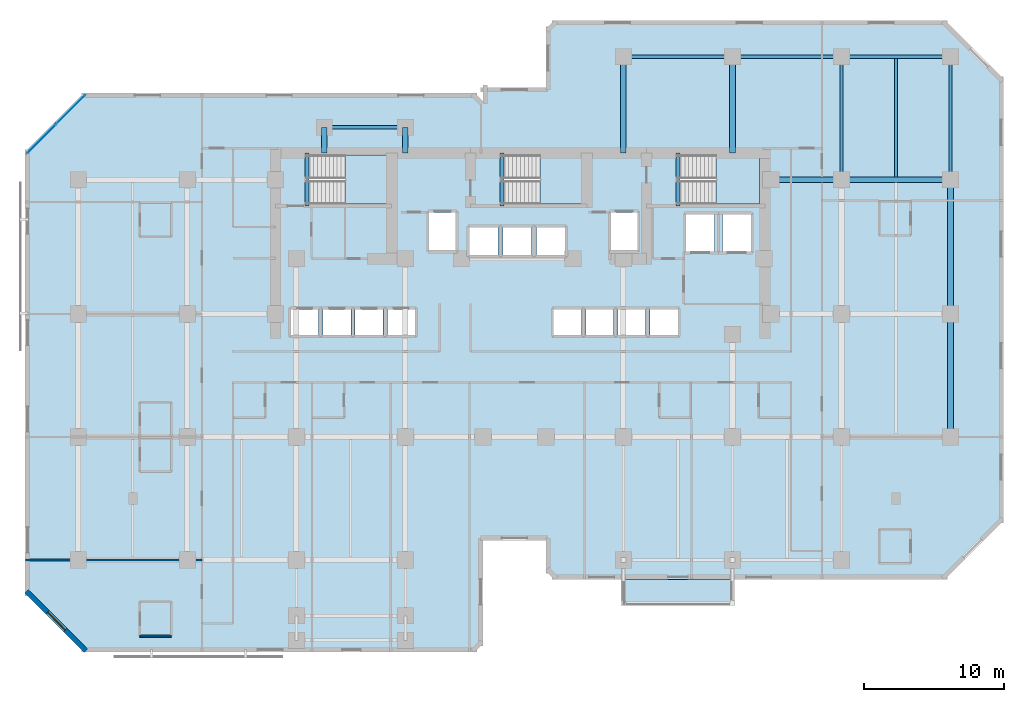
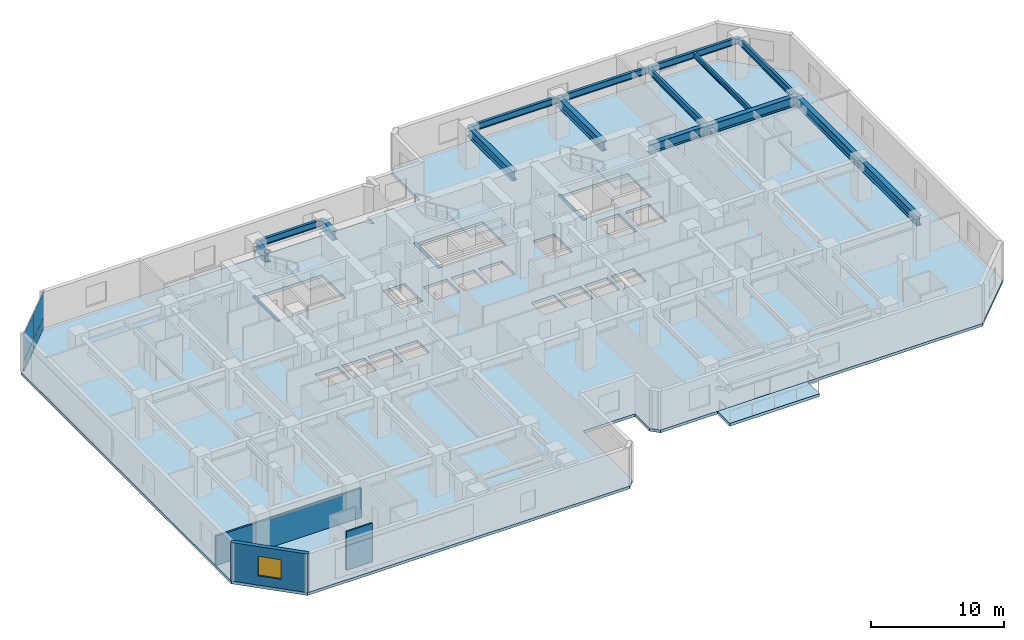
# One storey, part 5 of 13: 18 beams, 5 slabs, 4 plates, 3 walls, 1 window, 1 opening, 4 elements without a shape of their own.
"""IFC4 building model written with IfcOpenShell, lengths in metres."""

from ifc_helpers import new_model, si_unit, direction, frame, frame_2d, origin, origin_2d, place, context, subcontext, project, spatial, polyline, rectangle, i_section, outline, extrude, material, layer, layer_set, material_profile, profile_set, type_object, element, fill, aggregate, save


model = new_model("IFC4")

# Units and contexts
model_context = context("Model", 3, precision=1e-05, world=origin(), true_north=direction((0.0, 1.0)))
body_context = subcontext(model_context, "Body", "Model", "MODEL_VIEW")
ifc_project = project(units=[si_unit("LENGTHUNIT", "METRE"), si_unit("AREAUNIT", "SQUARE_METRE"), si_unit("VOLUMEUNIT", "CUBIC_METRE"), si_unit("PLANEANGLEUNIT", "RADIAN"), si_unit("MASSUNIT", "GRAM", prefix="KILO")], contexts=[model_context])

# Site, building, storey
site_placement = place(None, origin())
site = spatial("IfcSite", under=ifc_project, at=site_placement, CompositionType="ELEMENT")
building_placement = place(site_placement, origin())
building = spatial("IfcBuilding", under=site, at=building_placement, Name="Kestravale Grand Hotel", CompositionType="ELEMENT")
storey_placement = place(building_placement, frame((0.0, 0.0, 88.0)))
storey = spatial("IfcBuildingStorey", under=building, at=storey_placement, Name="L21", CompositionType="ELEMENT", Elevation=88.0)

# Beams
ifc_material_1 = material(Name="Steel ASTM A992 Grade 50", Category="steel")
ifc_material_profile_1 = material_profile(ifc_material_1, i_section(OverallWidth=0.19091796875, OverallDepth=0.45703125, WebThickness=0.009033203125, FlangeThickness=0.014404296875, FilletRadius=0.015380859375, at=origin_2d()))
ifc_profile_set_1 = profile_set([ifc_material_profile_1], Name="Steel ASTM A992 Grade 50")
beam_type_1 = type_object("IfcBeamType", Name="B-FLR-JST18", PredefinedType="JOIST", material=ifc_profile_set_1)
beam_1_placement = place(storey_placement, frame((66.300048828125, 38.6005859375, 3.3115234375), z_axis=(0.0, 1.0, 0.0), x_axis=(-1.0, 0.0, 0.0)))
element("IfcBeam", 1, at=beam_1_placement, inside=storey, type_object=beam_type_1, Name="L21 floor joist 10-11/F-G #1", PredefinedType="JOIST", context=body_context, shape_type="SweptSolid", body=[
    extrude(i_section(OverallWidth=0.19091796875, OverallDepth=0.45703125, WebThickness=0.009033203125, FlangeThickness=0.014404296875, FilletRadius=0.015380859375, at=origin_2d()), origin(), (0.0, 0.0, 1.0), 8.48486328125),
])
ifc_material_2 = material(Name="Concrete f'c 45 MPa", Category="concrete")
ifc_material_profile_2 = material_profile(ifc_material_2, rectangle(XDim=0.300048828125, YDim=0.39990234375, at=origin_2d()))
ifc_profile_set_2 = profile_set([ifc_material_profile_2], Name="Concrete f'c 45 MPa")
beam_type_2 = type_object("IfcBeamType", Name="B-FLR-LNT400", PredefinedType="LINTEL", material=ifc_profile_set_2)
for number, where, z_axis, x_axis, name in (
    (2, (24.159912109375, 36.52001953125, -0.199951171875), (0.0, 1.0, 0.0), (-1.0, 0.0, 0.0), "L21 ST1 flight bottom header beam"),
    (3, (38.110107421875, 36.52001953125, -0.199951171875), (0.0, 1.0, 0.0), (-1.0, 0.0, 0.0), "L21 ST2 flight bottom header beam"),
    (4, (50.7099609375, 36.52001953125, -0.199951171875), (0.0, 1.0, 0.0), (-1.0, 0.0, 0.0), "L21 ST3 flight bottom header beam"),
):
    element("IfcBeam", number, at=place(storey_placement, frame(where, z_axis=z_axis, x_axis=x_axis)), inside=storey, type_object=beam_type_2, Name=name, PredefinedType="LINTEL", context=body_context, shape_type="SweptSolid", body=[
        extrude(rectangle(XDim=0.300048828125, YDim=0.39990234375, at=origin_2d()), origin(), (0.0, 0.0, 1.0), 3.800048828125),
    ])
ifc_material_3 = material(Name="Steel ASTM A992 Grade 50", Category="steel")
ifc_material_profile_3 = material_profile(ifc_material_3, i_section(OverallWidth=0.22900390625, OverallDepth=0.612060546875, WebThickness=0.011962890625, FlangeThickness=0.01953125, FilletRadius=0.019287109375, at=origin_2d()))
ifc_profile_set_3 = profile_set([ifc_material_profile_3], Name="Steel ASTM A992 Grade 50")
beam_type_3 = type_object("IfcBeamType", Name="B-FLR-W24B", PredefinedType="SPANDREL", material=ifc_profile_set_3)
beam_2_placement = place(storey_placement, frame((46.800048828125, 47.199951171875, 3.23388671875), z_axis=(1.0, 0.0, 0.0), x_axis=(0.0, 1.0, 0.0)))
element("IfcBeam", 5, at=beam_2_placement, inside=storey, type_object=beam_type_3, Name="L21 spandrel G:8-9", PredefinedType="SPANDREL", context=body_context, shape_type="SweptSolid", body=[
    extrude(i_section(OverallWidth=0.22900390625, OverallDepth=0.612060546875, WebThickness=0.011962890625, FlangeThickness=0.01953125, FilletRadius=0.019287109375, at=origin_2d()), origin(), (0.0, 0.0, 1.0), 7.800048828125),
])
beam_3_placement = place(storey_placement, frame((54.60009765625, 47.199951171875, 3.23388671875), z_axis=(1.0, 0.0, 0.0), x_axis=(0.0, 1.0, 0.0)))
element("IfcBeam", 6, at=beam_3_placement, inside=storey, type_object=beam_type_3, Name="L21 spandrel G:9-10", PredefinedType="SPANDREL", context=body_context, shape_type="SweptSolid", body=[
    extrude(i_section(OverallWidth=0.22900390625, OverallDepth=0.612060546875, WebThickness=0.011962890625, FlangeThickness=0.01953125, FilletRadius=0.019287109375, at=origin_2d()), origin(), (0.0, 0.0, 1.0), 7.7998046875),
])
beam_4_placement = place(storey_placement, frame((62.39990234375, 47.199951171875, 3.23388671875), z_axis=(1.0, 0.0, 0.0), x_axis=(0.0, 1.0, 0.0)))
element("IfcBeam", 7, at=beam_4_placement, inside=storey, type_object=beam_type_3, Name="L21 spandrel G:10-11", PredefinedType="SPANDREL", context=body_context, shape_type="SweptSolid", body=[
    extrude(i_section(OverallWidth=0.22900390625, OverallDepth=0.612060546875, WebThickness=0.011962890625, FlangeThickness=0.01953125, FilletRadius=0.019287109375, at=origin_2d()), origin(), (0.0, 0.0, 1.0), 7.800048828125),
])
beam_5_placement = place(storey_placement, frame((25.39990234375, 42.14990234375, 3.23388671875), z_axis=(1.0, 0.0, 0.0), x_axis=(0.0, 1.0, 0.0)))
element("IfcBeam", 8, at=beam_5_placement, inside=storey, type_object=beam_type_3, Name="L21 perimeter tie spandrel FN:4-5", PredefinedType="SPANDREL", context=body_context, shape_type="SweptSolid", body=[
    extrude(i_section(OverallWidth=0.22900390625, OverallDepth=0.612060546875, WebThickness=0.011962890625, FlangeThickness=0.01953125, FilletRadius=0.019287109375, at=origin_2d()), origin(), (0.0, 0.0, 1.0), 5.800048828125),
])
for number, where, z_axis, x_axis, name in (
    (9, (62.39990234375, 38.39990234375, 3.23388671875), (0.0, 1.0, 0.0), (-1.0, 0.0, 0.0), "L21 spandrel 10:F-G"),
    (10, (70.199951171875, 38.39990234375, 3.23388671875), (0.0, 1.0, 0.0), (-1.0, 0.0, 0.0), "L21 spandrel 11:F-G"),
):
    element("IfcBeam", number, at=place(storey_placement, frame(where, z_axis=z_axis, x_axis=x_axis)), inside=storey, type_object=beam_type_3, Name=name, PredefinedType="SPANDREL", context=body_context, shape_type="SweptSolid", body=[
        extrude(i_section(OverallWidth=0.22900390625, OverallDepth=0.612060546875, WebThickness=0.011962890625, FlangeThickness=0.01953125, FilletRadius=0.019287109375, at=origin_2d()), origin(), (0.0, 0.0, 1.0), 8.800048828125),
    ])
ifc_material_4 = material(Name="Steel ASTM A992 Grade 50", Category="steel")
ifc_material_profile_4 = material_profile(ifc_material_4, i_section(OverallWidth=0.40087890625, OverallDepth=0.861083984375, WebThickness=0.019775390625, FlangeThickness=0.032470703125, FilletRadius=0.0234375, at=origin_2d()))
ifc_profile_set_4 = profile_set([ifc_material_profile_4], Name="Steel ASTM A992 Grade 50")
beam_type_4 = type_object("IfcBeamType", Name="B-GRD-W33", PredefinedType="BEAM", material=ifc_profile_set_4)
beam_6_placement = place(storey_placement, frame((57.35009765625, 38.39990234375, 3.109619140625), z_axis=(1.0, 0.0, 0.0), x_axis=(0.0, 1.0, 0.0)))
element("IfcBeam", 11, at=beam_6_placement, inside=storey, type_object=beam_type_4, Name="L21 girder F:CE-10", PredefinedType="BEAM", context=body_context, shape_type="SweptSolid", body=[
    extrude(i_section(OverallWidth=0.40087890625, OverallDepth=0.861083984375, WebThickness=0.019775390625, FlangeThickness=0.032470703125, FilletRadius=0.0234375, at=origin_2d()), origin(), (0.0, 0.0, 1.0), 5.0498046875),
])
beam_7_placement = place(storey_placement, frame((62.39990234375, 38.39990234375, 3.109619140625), z_axis=(1.0, 0.0, 0.0), x_axis=(0.0, 1.0, 0.0)))
element("IfcBeam", 12, at=beam_7_placement, inside=storey, type_object=beam_type_4, Name="L21 girder F:10-11", PredefinedType="BEAM", context=body_context, shape_type="SweptSolid", body=[
    extrude(i_section(OverallWidth=0.40087890625, OverallDepth=0.861083984375, WebThickness=0.019775390625, FlangeThickness=0.032470703125, FilletRadius=0.0234375, at=origin_2d()), origin(), (0.0, 0.0, 1.0), 7.800048828125),
])
beam_8_placement = place(storey_placement, frame((70.199951171875, 20.0, 3.109619140625), z_axis=(0.0, 1.0, 0.0), x_axis=(-1.0, 0.0, 0.0)))
element("IfcBeam", 13, at=beam_8_placement, inside=storey, type_object=beam_type_4, Name="L21 girder 11:D-E", PredefinedType="BEAM", context=body_context, shape_type="SweptSolid", body=[
    extrude(i_section(OverallWidth=0.40087890625, OverallDepth=0.861083984375, WebThickness=0.019775390625, FlangeThickness=0.032470703125, FilletRadius=0.0234375, at=origin_2d()), origin(), (0.0, 0.0, 1.0), 8.800048828125),
])
beam_9_placement = place(storey_placement, frame((70.199951171875, 28.800048828125, 3.109619140625), z_axis=(0.0, 1.0, 0.0), x_axis=(-1.0, 0.0, 0.0)))
element("IfcBeam", 14, at=beam_9_placement, inside=storey, type_object=beam_type_4, Name="L21 girder 11:E-F", PredefinedType="BEAM", context=body_context, shape_type="SweptSolid", body=[
    extrude(i_section(OverallWidth=0.40087890625, OverallDepth=0.861083984375, WebThickness=0.019775390625, FlangeThickness=0.032470703125, FilletRadius=0.0234375, at=origin_2d()), origin(), (0.0, 0.0, 1.0), 9.599853515625),
])
for number, where, z_axis, x_axis, name in (
    (15, (25.39990234375, 40.320068359375, 3.109619140625), (0.0, 1.0, 0.0), (-1.0, 0.0, 0.0), "L21 north wing tie girder 4:CN-FN"),
    (16, (31.199951171875, 40.320068359375, 3.109619140625), (0.0, 1.0, 0.0), (-1.0, 0.0, 0.0), "L21 north wing tie girder 5:CN-FN"),
):
    element("IfcBeam", number, at=place(storey_placement, frame(where, z_axis=z_axis, x_axis=x_axis)), inside=storey, type_object=beam_type_4, Name=name, PredefinedType="BEAM", context=body_context, shape_type="SweptSolid", body=[
        extrude(i_section(OverallWidth=0.40087890625, OverallDepth=0.861083984375, WebThickness=0.019775390625, FlangeThickness=0.032470703125, FilletRadius=0.0234375, at=origin_2d()), origin(), (0.0, 0.0, 1.0), 1.829833984375),
    ])
for number, where, z_axis, x_axis, name in (
    (17, (46.800048828125, 40.320068359375, 3.109619140625), (0.0, 1.0, 0.0), (-1.0, 0.0, 0.0), "L21 north wing tie girder 8:CN-G"),
    (18, (54.60009765625, 40.320068359375, 3.109619140625), (0.0, 1.0, 0.0), (-1.0, 0.0, 0.0), "L21 north wing tie girder 9:CN-G"),
):
    element("IfcBeam", number, at=place(storey_placement, frame(where, z_axis=z_axis, x_axis=x_axis)), inside=storey, type_object=beam_type_4, Name=name, PredefinedType="BEAM", context=body_context, shape_type="SweptSolid", body=[
        extrude(i_section(OverallWidth=0.40087890625, OverallDepth=0.861083984375, WebThickness=0.019775390625, FlangeThickness=0.032470703125, FilletRadius=0.0234375, at=origin_2d()), origin(), (0.0, 0.0, 1.0), 6.8798828125),
    ])

# Curtain wall, plates
ifc_material_5 = material(Name="Thermally broken champagne-bronze aluminium and low-E glazing", Category="aluminium")
ifc_layer_1 = layer(ifc_material_5, 0.199951171875)
ifc_layer_set_1 = layer_set([ifc_layer_1], Name="CW-Z2")
curtain_wall_type = type_object("IfcCurtainWallType", Name="CW-Z2", PredefinedType="NOTDEFINED", material=ifc_layer_set_1)
curtain_wall_placement = place(storey_placement, origin())
curtain_wall = element("IfcCurtainWall", 19, at=curtain_wall_placement, inside=storey, type_object=curtain_wall_type, Name="L21 unitised curtain wall 18", PredefinedType="NOTDEFINED")
ifc_material_6 = material(Name="Insulated clear low-E double glazing IGU", Category="glass")
ifc_layer_2 = layer(ifc_material_6, 0.031982421875)
ifc_layer_set_2 = layer_set([ifc_layer_2], Name="CW-PNL-32")
plate_type = type_object("IfcPlateType", Name="CW-PNL-32", PredefinedType="CURTAIN_PANEL", material=ifc_layer_set_2)
plate_1_placement = place(storey_placement, frame((7.26416015625, 43.423583984375, 0.06494140625), z_axis=(0.0, 0.0, 1.0), x_axis=(-0.707106781187, -0.707106781187, 0.0)))
plate_1 = element("IfcPlate", 20, at=plate_1_placement, type_object=plate_type, Name="CW-Z2 panel 1.1", PredefinedType="CURTAIN_PANEL", context=body_context, shape_type="SweptSolid", body=[
    extrude(rectangle(XDim=2.87744140625, YDim=0.031982421875, at=origin_2d()), origin(), (0.0, 0.0, 1.0), 0.952392578125),
])
plate_2_placement = place(storey_placement, frame((7.26416015625, 43.423583984375, 1.08251953125), z_axis=(0.0, 0.0, 1.0), x_axis=(-0.707106781187, -0.707106781187, 0.0)))
plate_2 = element("IfcPlate", 21, at=plate_2_placement, type_object=plate_type, Name="CW-Z2 panel 1.2", PredefinedType="CURTAIN_PANEL", context=body_context, shape_type="SweptSolid", body=[
    extrude(rectangle(XDim=2.87744140625, YDim=0.031982421875, at=origin_2d()), origin(), (0.0, 0.0, 1.0), 2.392578125),
])
plate_3_placement = place(storey_placement, frame((5.17626953125, 41.3359375, 0.06494140625), z_axis=(0.0, 0.0, 1.0), x_axis=(-0.707106781187, -0.707106781187, 0.0)))
plate_3 = element("IfcPlate", 22, at=plate_3_placement, type_object=plate_type, Name="CW-Z2 panel 2.1", PredefinedType="CURTAIN_PANEL", context=body_context, shape_type="SweptSolid", body=[
    extrude(rectangle(XDim=2.87744140625, YDim=0.031982421875, at=origin_2d()), origin(), (0.0, 0.0, 1.0), 0.952392578125),
])
plate_4_placement = place(storey_placement, frame((5.17626953125, 41.3359375, 1.08251953125), z_axis=(0.0, 0.0, 1.0), x_axis=(-0.707106781187, -0.707106781187, 0.0)))
plate_4 = element("IfcPlate", 23, at=plate_4_placement, type_object=plate_type, Name="CW-Z2 panel 2.2", PredefinedType="CURTAIN_PANEL", context=body_context, shape_type="SweptSolid", body=[
    extrude(rectangle(XDim=2.87744140625, YDim=0.031982421875, at=origin_2d()), origin(), (0.0, 0.0, 1.0), 2.392578125),
])
aggregate(curtain_wall, [plate_1, plate_2, plate_3, plate_4])

# Slab
ifc_material_7 = material(Name="Concrete f'c 45 MPa", Category="concrete")
ifc_layer_3 = layer(ifc_material_7, 0.27001953125)
ifc_layer_set_3 = layer_set([ifc_layer_3], Name="ES-TERR-270")
slab_type_1 = type_object("IfcSlabType", Name="ES-TERR-270", PredefinedType="FLOOR", material=ifc_layer_set_3)
slab_1_placement = place(storey_placement, frame((0.0, 0.0, -0.27001953125)))
element("IfcSlab", 24, at=slab_1_placement, inside=storey, type_object=slab_type_1, Name="L21 spiralling planted garden terrace", PredefinedType="FLOOR", context=body_context, shape_type="SweptSolid", body=[
    extrude(outline(polyline([(46.800048828125, 7.949951171875), (54.60009765625, 7.949951171875), (54.60009765625, 9.800048828125), (46.800048828125, 9.800048828125), (46.800048828125, 7.949951171875)])), origin(), (0.0, 0.0, 1.0), 0.27001953125),
])

# Stair, slab
ifc_material_8 = material(Name="Concrete f'c 45 MPa", Category="concrete")
stair_type = type_object("IfcStairType", Name="ST-CORE-380", PredefinedType="HALF_TURN_STAIR", material=ifc_material_8)
stair_1_placement = place(storey_placement, origin())
stair_1 = element("IfcStair", 25, at=stair_1_placement, inside=storey, type_object=stair_type, Name="L21 ST-1", PredefinedType="HALF_TURN_STAIR")
ifc_material_9 = material(Name="Concrete f'c 45 MPa", Category="concrete")
ifc_layer_4 = layer(ifc_material_9, 0.199951171875)
ifc_layer_set_4 = layer_set([ifc_layer_4], Name="SLB-ST-LND200")
slab_type_2 = type_object("IfcSlabType", Name="SLB-ST-LND200", PredefinedType="LANDING", material=ifc_layer_set_4)
slab_2_placement = place(storey_placement, frame((0.0, 0.0, 1.699951171875)))
slab_2 = element("IfcSlab", 26, at=slab_2_placement, type_object=slab_type_2, Name="ST-1 landing 1", PredefinedType="LANDING", context=body_context, shape_type="SweptSolid", body=[
    extrude(outline(polyline([(26.8798828125, 36.64990234375), (30.0, 36.64990234375), (30.0, 40.159912109375), (26.8798828125, 40.159912109375), (26.8798828125, 36.64990234375)])), origin(), (0.0, 0.0, 1.0), 0.199951171875),
])
aggregate(stair_1, [slab_2])

stair_2_placement = place(storey_placement, origin())
stair_2 = element("IfcStair", 27, at=stair_2_placement, inside=storey, type_object=stair_type, Name="L21 ST-2", PredefinedType="HALF_TURN_STAIR")
slab_3_placement = place(storey_placement, frame((0.0, 0.0, 1.699951171875)))
slab_3 = element("IfcSlab", 28, at=slab_3_placement, type_object=slab_type_2, Name="ST-2 landing 1", PredefinedType="LANDING", context=body_context, shape_type="SweptSolid", body=[
    extrude(outline(polyline([(40.830078125, 36.64990234375), (43.949951171875, 36.64990234375), (43.949951171875, 40.159912109375), (40.830078125, 40.159912109375), (40.830078125, 36.64990234375)])), origin(), (0.0, 0.0, 1.0), 0.199951171875),
])
aggregate(stair_2, [slab_3])

stair_3_placement = place(storey_placement, origin())
stair_3 = element("IfcStair", 29, at=stair_3_placement, inside=storey, type_object=stair_type, Name="L21 ST-3", PredefinedType="HALF_TURN_STAIR")
slab_4_placement = place(storey_placement, frame((0.0, 0.0, 1.699951171875)))
slab_4 = element("IfcSlab", 30, at=slab_4_placement, type_object=slab_type_2, Name="ST-3 landing 1", PredefinedType="LANDING", context=body_context, shape_type="SweptSolid", body=[
    extrude(outline(polyline([(53.429931640625, 36.64990234375), (56.550048828125, 36.64990234375), (56.550048828125, 40.159912109375), (53.429931640625, 40.159912109375), (53.429931640625, 36.64990234375)])), origin(), (0.0, 0.0, 1.0), 0.199951171875),
])
aggregate(stair_3, [slab_4])

# Slab
ifc_material_10 = material(Name="Concrete f'c 45 MPa", Category="concrete")
ifc_layer_5 = layer(ifc_material_10, 0.260009765625)
ifc_layer_set_5 = layer_set([ifc_layer_5], Name="SS-FLR-260")
slab_type_3 = type_object("IfcSlabType", Name="SS-FLR-260", PredefinedType="FLOOR", material=ifc_layer_set_5)
slab_5_placement = place(storey_placement, frame((0.0, 0.0, -0.260009765625)))
element("IfcSlab", 31, at=slab_5_placement, inside=storey, type_object=slab_type_3, Name="L21 structural floor slab", PredefinedType="FLOOR", context=body_context, shape_type="SweptSolid", body=[
    extrude(outline(polyline([(8.199951171875, 4.60009765625), (36.14990234375, 4.60009765625), (36.75, 5.199951171875), (36.75, 12.60009765625), (41.25, 12.60009765625), (41.25, 10.39990234375), (41.85009765625, 9.800048828125), (69.800048828125, 9.800048828125), (74.0, 14.0), (74.0, 45.60009765625), (69.800048828125, 49.800048828125), (41.85009765625, 49.800048828125), (41.25, 49.199951171875), (41.25, 45.0), (36.75, 45.0), (36.75, 44.0), (36.14990234375, 44.60009765625), (8.199951171875, 44.60009765625), (4.0, 40.39990234375), (4.0, 8.800048828125), (8.199951171875, 4.60009765625)]), holes=[polyline([(24.080078125, 36.64990234375), (30.0, 36.64990234375), (30.0, 40.159912109375), (24.080078125, 40.159912109375), (24.080078125, 36.64990234375)]), polyline([(38.030029296875, 36.64990234375), (43.949951171875, 36.64990234375), (43.949951171875, 40.159912109375), (38.030029296875, 40.159912109375), (38.030029296875, 36.64990234375)]), polyline([(50.6298828125, 36.64990234375), (56.550048828125, 36.64990234375), (56.550048828125, 40.159912109375), (50.6298828125, 40.159912109375), (50.6298828125, 36.64990234375)]), polyline([(23.0048828125, 27.280029296875), (24.9951171875, 27.280029296875), (24.9951171875, 29.1201171875), (23.0048828125, 29.1201171875), (23.0048828125, 27.280029296875)]), polyline([(25.304931640625, 27.280029296875), (27.294921875, 27.280029296875), (27.294921875, 29.1201171875), (25.304931640625, 29.1201171875), (25.304931640625, 27.280029296875)]), polyline([(27.60498046875, 27.280029296875), (29.594970703125, 27.280029296875), (29.594970703125, 29.1201171875), (27.60498046875, 29.1201171875), (27.60498046875, 27.280029296875)]), polyline([(29.905029296875, 27.280029296875), (31.89501953125, 27.280029296875), (31.89501953125, 29.1201171875), (29.905029296875, 29.1201171875), (29.905029296875, 27.280029296875)]), polyline([(41.804931640625, 27.280029296875), (43.794921875, 27.280029296875), (43.794921875, 29.1201171875), (41.804931640625, 29.1201171875), (41.804931640625, 27.280029296875)]), polyline([(44.10498046875, 27.280029296875), (46.094970703125, 27.280029296875), (46.094970703125, 29.1201171875), (44.10498046875, 29.1201171875), (44.10498046875, 27.280029296875)]), polyline([(46.405029296875, 27.280029296875), (48.39501953125, 27.280029296875), (48.39501953125, 29.1201171875), (46.405029296875, 29.1201171875), (46.405029296875, 27.280029296875)]), polyline([(48.705078125, 27.280029296875), (50.695068359375, 27.280029296875), (50.695068359375, 29.1201171875), (48.705078125, 29.1201171875), (48.705078125, 27.280029296875)]), polyline([(35.780029296875, 33.030029296875), (37.820068359375, 33.030029296875), (37.820068359375, 34.969970703125), (35.780029296875, 34.969970703125), (35.780029296875, 33.030029296875)]), polyline([(38.179931640625, 33.030029296875), (40.219970703125, 33.030029296875), (40.219970703125, 34.969970703125), (38.179931640625, 34.969970703125), (38.179931640625, 33.030029296875)]), polyline([(40.580078125, 33.030029296875), (42.6201171875, 33.030029296875), (42.6201171875, 34.969970703125), (40.580078125, 34.969970703125), (40.580078125, 33.030029296875)]), polyline([(32.905029296875, 33.35498046875), (34.794921875, 33.35498046875), (34.794921875, 36.044921875), (32.905029296875, 36.044921875), (32.905029296875, 33.35498046875)]), polyline([(45.905029296875, 33.35498046875), (47.794921875, 33.35498046875), (47.794921875, 36.044921875), (45.905029296875, 36.044921875), (45.905029296875, 33.35498046875)]), polyline([(51.280029296875, 33.280029296875), (53.320068359375, 33.280029296875), (53.320068359375, 35.919921875), (51.280029296875, 35.919921875), (51.280029296875, 33.280029296875)]), polyline([(53.8798828125, 33.280029296875), (55.919921875, 33.280029296875), (55.919921875, 35.919921875), (53.8798828125, 35.919921875), (53.8798828125, 33.280029296875)])]), origin(), (0.0, 0.0, 1.0), 0.260009765625),
])

# Wall, opening, window
ifc_material_11 = material(Name="Precast concrete f'c 45 MPa", Category="concrete")
ifc_layer_6 = layer(ifc_material_11, 0.340087890625)
ifc_layer_set_6 = layer_set([ifc_layer_6], Name="EW-PREC-340")
wall_type_1 = type_object("IfcWallType", Name="EW-PREC-340", PredefinedType="SOLIDWALL", material=ifc_layer_set_6)
wall_1_placement = place(storey_placement, frame((4.091796875, 8.948486328125, 0.0), z_axis=(0.0, 0.0, 1.0), x_axis=(0.707106781187, -0.707106781187, 0.0)))
wall_1 = element("IfcWall", 32, at=wall_1_placement, inside=storey, type_object=wall_type_1, Name="L21 fluted precast facade wall 20", PredefinedType="SOLIDWALL", context=body_context, shape_type="SweptSolid", body=[
    extrude(rectangle(XDim=6.019775390625, YDim=0.340087890625, at=frame_2d((3.009765625, 0.0))), origin(), (0.0, 0.0, 1.0), 3.5400390625),
])
opening_placement = place(wall_1_placement, frame((2.10986328125, 0.0, 0.85009765625)))
opening = element("IfcOpeningElement", 33, at=opening_placement, cuts=wall_1, Name="Opening W-GUEST-1800", PredefinedType="OPENING", context=body_context, shape_type="SweptSolid", body=[
    extrude(rectangle(XDim=1.800048828125, YDim=1.800048828125, at=frame_2d((0.89990234375, 0.89990234375))), frame((0.0, 0.179931640625, 0.0), z_axis=(0.0, -1.0, 0.0), x_axis=(1.0, 0.0, 0.0)), (0.0, 0.0, 1.0), 0.360107421875),
])
ifc_material_12 = material(Name="Insulated low-E double glazing in aluminium frame", Category="aluminium")
window_type = type_object("IfcWindowType", Name="W-GUEST-1800", PartitioningType="DOUBLE_PANEL_VERTICAL", PredefinedType="WINDOW", material=ifc_material_12)
window_placement = place(opening_placement, origin())
window = element("IfcWindow", 34, at=window_placement, inside=storey, type_object=window_type, Name="L21 exterior window 20.1", OverallHeight=1.800048828125, OverallWidth=1.800048828125, PartitioningType="SINGLE_PANEL", PredefinedType="WINDOW", context=body_context, shape_type="SweptSolid", body=[
    extrude(rectangle(XDim=1.800048828125, YDim=1.800048828125, at=frame_2d((0.89990234375, 0.89990234375))), frame((0.0, 0.030029296875, 0.0), z_axis=(0.0, -1.0, 0.0), x_axis=(1.0, 0.0, 0.0)), (0.0, 0.0, 1.0), 0.06005859375),
])
fill(opening, window)

# Walls
ifc_material_13 = material(Name="Moisture-resistant tile-backer plumbing chase wall", Category="other")
ifc_layer_7 = layer(ifc_material_13, 0.139892578125)
ifc_layer_set_7 = layer_set([ifc_layer_7], Name="IW-PLB-140")
wall_type_2 = type_object("IfcWallType", Name="IW-PLB-140", PredefinedType="PLUMBINGWALL", material=ifc_layer_set_7)
wall_2_placement = place(storey_placement, frame((12.199951171875, 5.75, 0.0), z_axis=(0.0, 0.0, 1.0), x_axis=(1.0, 0.0, 0.0)))
element("IfcWall", 35, at=wall_2_placement, inside=storey, type_object=wall_type_2, Name="W-L21-U05-BS", PredefinedType="PLUMBINGWALL", context=body_context, shape_type="SweptSolid", body=[
    extrude(rectangle(XDim=2.25, YDim=0.139892578125, at=frame_2d((1.125, 0.0))), origin(), (0.0, 0.0, 1.0), 3.5400390625),
])
ifc_material_14 = material(Name="Double-stud STC 52 acoustic demising partition", Category="other")
ifc_layer_8 = layer(ifc_material_14, 0.14990234375)
ifc_layer_set_8 = layer_set([ifc_layer_8], Name="IW-UNIT-150")
wall_type_3 = type_object("IfcWallType", Name="IW-UNIT-150", PredefinedType="PARTITIONING", material=ifc_layer_set_8)
wall_3_placement = place(storey_placement, frame((4.02001953125, 11.199951171875, 0.0), z_axis=(0.0, 0.0, 1.0), x_axis=(1.0, 0.0, 0.0)))
element("IfcWall", 36, at=wall_3_placement, inside=storey, type_object=wall_type_3, Name="W-L21-WW-1", PredefinedType="PARTITIONING", context=body_context, shape_type="SweptSolid", body=[
    extrude(rectangle(XDim=12.619873046875, YDim=0.14990234375, at=frame_2d((6.31005859375, 0.0))), origin(), (0.0, 0.0, 1.0), 2.678955078125),
])

save(model, "model.ifc")
